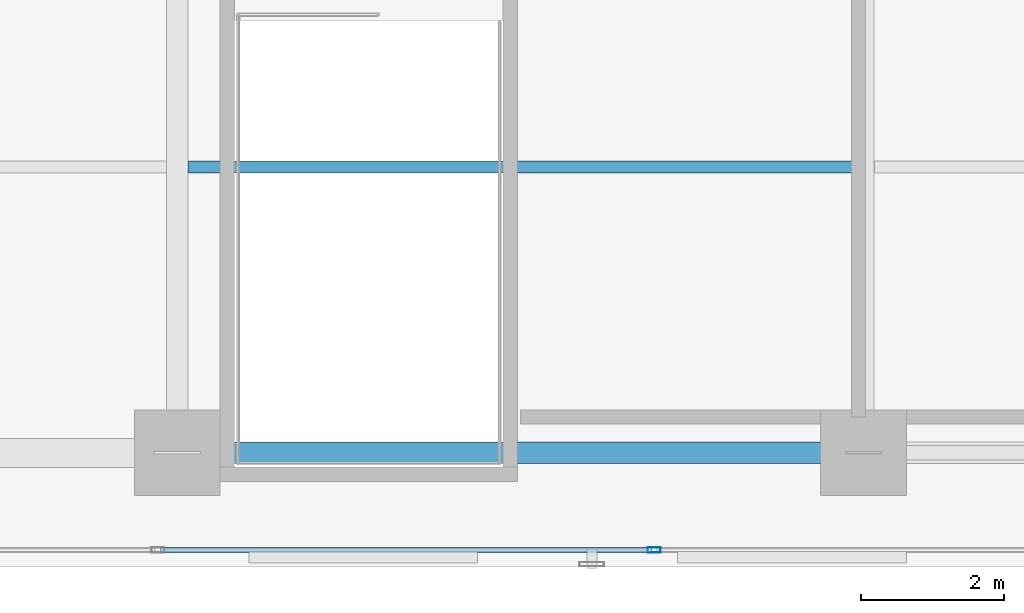
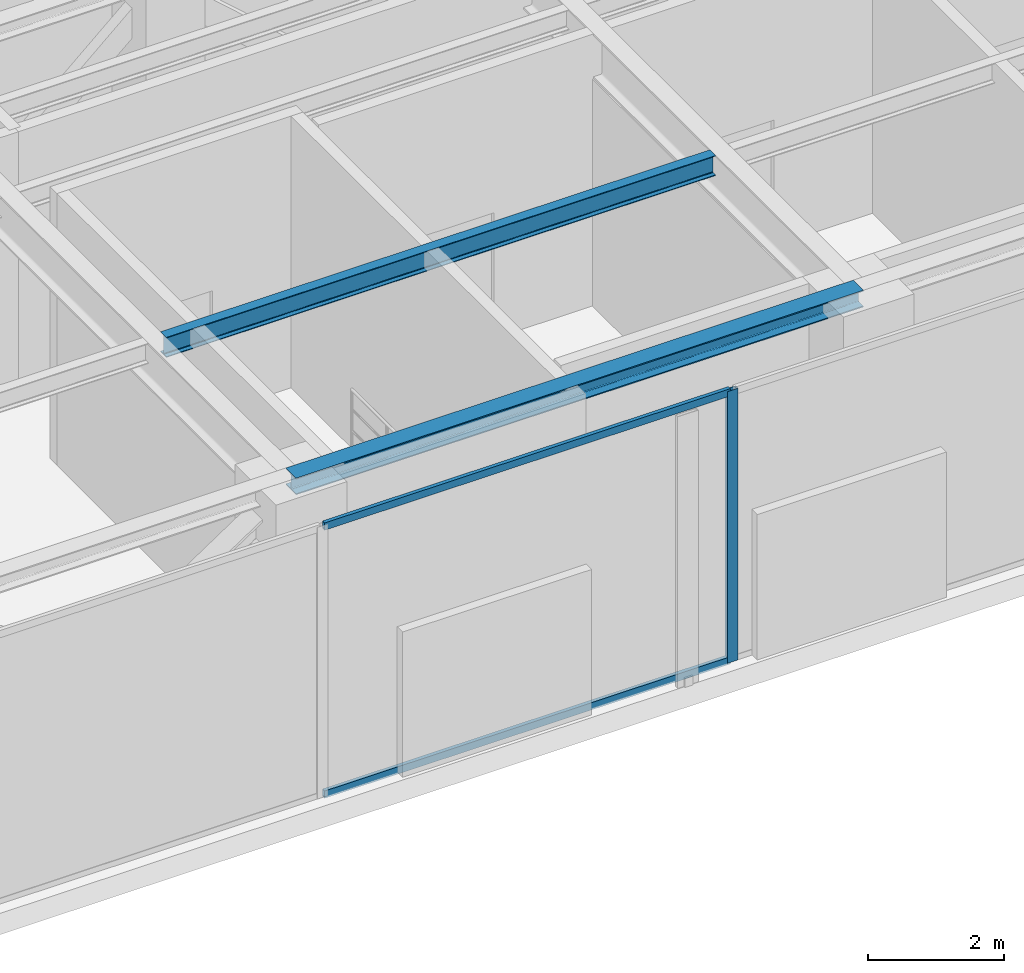
# One storey, part 7 of 36: 3 members, 2 beams, 1 element without a shape of its own.
"""IFC4 building model written with IfcOpenShell, lengths in metres."""

import ifcopenshell
import ifcopenshell.guid

model = None  # the IFC model being written
_history = None  # IfcOwnerHistory: only IFC2X3 demands one
_inside = {}  # id of a spatial element -> (the spatial element, [elements in it])
_under = {}  # id of a project, library or spatial element -> (it, [spatial elements below it])
_declared = {}  # id of a project -> (the project, [libraries it declares])
_typed = {}  # id of a type object -> (the type object, [elements of that type])
_made_of = {}  # id of a material, layer set ... -> (it, [elements and type objects made of it])


def new_model(schema):
    """Start an empty IFC model of exactly this schema.

    Asked for "IFC4X3", IfcOpenShell would pick the latest addendum, in which some entities
    have other attributes; the version numbers below select the first issue.
    IFC2X3 requires an IfcOwnerHistory on every rooted entity: one is made here for all.
    """
    global model, _history
    if schema == "IFC4X3":
        model = ifcopenshell.file(schema_version=(4, 3, 0, 0))
    else:
        model = ifcopenshell.file(schema=schema)
    _inside.clear()
    _under.clear()
    _declared.clear()
    _typed.clear()
    _made_of.clear()
    _history = None
    if model.schema == "IFC2X3":
        org = make("IfcOrganization", Name="unknown")
        user = make(
            "IfcPersonAndOrganization",
            ThePerson=make("IfcPerson", FamilyName="unknown"),
            TheOrganization=org,
        )
        app = make(
            "IfcApplication",
            ApplicationDeveloper=org,
            Version="unknown",
            ApplicationFullName="unknown",
            ApplicationIdentifier="unknown",
        )
        _history = make(
            "IfcOwnerHistory",
            OwningUser=user,
            OwningApplication=app,
            ChangeAction="ADDED",
            CreationDate=0,
        )
    return model


def make(cls, **values):
    """One entity of the class cls with the attributes given. An attribute that is None is left unset."""
    return model.create_entity(
        cls, **{name: value for name, value in values.items() if value is not None}
    )


def rooted(cls, **values):
    """An entity with a GlobalId (a new one), such as an element, a storey or a relation."""
    return make(cls, GlobalId=ifcopenshell.guid.new(), OwnerHistory=_history, **values)


def si_unit(unit_type, name, prefix=None):
    """IfcSIUnit, for example si_unit("LENGTHUNIT", "METRE", prefix="MILLI")."""
    return make("IfcSIUnit", UnitType=unit_type, Prefix=prefix, Name=name)


def assignment(units):
    """IfcUnitAssignment: the units of a project."""
    return None if units is None else make("IfcUnitAssignment", Units=units)


def point(xyz):
    """IfcCartesianPoint."""
    return None if xyz is None else make("IfcCartesianPoint", Coordinates=xyz)


def direction(xyz):
    """IfcDirection."""
    return None if xyz is None else make("IfcDirection", DirectionRatios=xyz)


def frame(location, z_axis=None, x_axis=None):
    """IfcAxis2Placement3D, a coordinate frame: its origin and axes. An axis left out is left unset."""
    return make(
        "IfcAxis2Placement3D",
        Location=point(location),
        Axis=direction(z_axis),
        RefDirection=direction(x_axis),
    )


def frame_2d(location, x_axis=None):
    """IfcAxis2Placement2D, a coordinate frame in the plane: its origin and x axis."""
    return make(
        "IfcAxis2Placement2D", Location=point(location), RefDirection=direction(x_axis)
    )


def origin():
    """The frame at (0, 0, 0) with its axes left unset."""
    return frame((0.0, 0.0, 0.0))


def origin_with_axes():
    """The frame at (0, 0, 0) with the z axis (0, 0, 1) and the x axis (1, 0, 0) written out."""
    return frame((0.0, 0.0, 0.0), z_axis=(0.0, 0.0, 1.0), x_axis=(1.0, 0.0, 0.0))


def origin_2d():
    """The frame at (0, 0) in the plane with its x axis left unset."""
    return frame_2d((0.0, 0.0))


def place(relative_to, where):
    """IfcLocalPlacement: puts the frame where relative to a parent placement (None: the world)."""
    return make(
        "IfcLocalPlacement", PlacementRelTo=relative_to, RelativePlacement=where
    )


def context(
    kind, dimensions, precision=None, world=None, true_north=None, identifier=None
):
    """IfcGeometricRepresentationContext, for example the 3D "Model" context."""
    return make(
        "IfcGeometricRepresentationContext",
        ContextIdentifier=identifier,
        ContextType=kind,
        CoordinateSpaceDimension=dimensions,
        Precision=precision,
        WorldCoordinateSystem=world,
        TrueNorth=true_north,
    )


def subcontext(parent, identifier, kind, view, scale=None):
    """IfcGeometricRepresentationSubContext, for example "Body" below "Model"."""
    return make(
        "IfcGeometricRepresentationSubContext",
        ContextIdentifier=identifier,
        ContextType=kind,
        ParentContext=parent,
        TargetScale=scale,
        TargetView=view,
    )


def project(units=None, contexts=None):
    """IfcProject with its units and contexts."""
    return rooted(
        "IfcProject",
        Name="project",
        RepresentationContexts=contexts,
        UnitsInContext=assignment(units),
    )


def spatial(cls, under=None, at=None, **own):
    """A site, building, storey or space (cls), placed at a placement, below another one or the project."""
    s = rooted(cls, ObjectPlacement=at, **own)
    if under is not None:
        _under.setdefault(under.id(), (under, []))[1].append(s)
    return s


def profile(cls, at=None, kind="AREA", **sizes):
    """A parametric profile (cls). Its sizes go by their IFC names, for example OverallWidth=200.0."""
    return make(cls, ProfileType=kind, Position=at, **sizes)


def hollow_rectangle(**sizes):
    """IfcRectangleHollowProfileDef."""
    return profile("IfcRectangleHollowProfileDef", **sizes)


def i_section(**sizes):
    """IfcIShapeProfileDef."""
    return profile("IfcIShapeProfileDef", **sizes)


def extrude(swept, where, along, depth):
    """IfcExtrudedAreaSolid: the profile swept, set in the frame where, extruded along a direction by depth."""
    return make(
        "IfcExtrudedAreaSolid",
        SweptArea=swept,
        Position=where,
        ExtrudedDirection=direction(along),
        Depth=depth,
    )


def shape(context_of_items, identifier, shape_type, items):
    """IfcShapeRepresentation: the items that make up one representation, for example the "Body"."""
    return make(
        "IfcShapeRepresentation",
        ContextOfItems=context_of_items,
        RepresentationIdentifier=identifier,
        RepresentationType=shape_type,
        Items=items,
    )


def source(mapping_origin, context_of_items, identifier, shape_type, items):
    """IfcRepresentationMap: a shape defined once, which mapped items show again and again."""
    return make(
        "IfcRepresentationMap",
        MappingOrigin=mapping_origin,
        MappedRepresentation=shape(context_of_items, identifier, shape_type, items),
    )


def transform(
    local_origin,
    x_axis=None,
    y_axis=None,
    z_axis=None,
    scale=None,
    scale2=None,
    scale3=None,
    uniform=True,
):
    """IfcCartesianTransformationOperator3D, or its non-uniform kind. x_axis, y_axis, z_axis: its Axis1, 2, 3."""
    if uniform:
        return make(
            "IfcCartesianTransformationOperator3D",
            Axis1=direction(x_axis),
            Axis2=direction(y_axis),
            LocalOrigin=point(local_origin),
            Scale=scale,
            Axis3=direction(z_axis),
        )
    return make(
        "IfcCartesianTransformationOperator3DnonUniform",
        Axis1=direction(x_axis),
        Axis2=direction(y_axis),
        LocalOrigin=point(local_origin),
        Scale=scale,
        Axis3=direction(z_axis),
        Scale2=scale2,
        Scale3=scale3,
    )


def mapped(mapping_source, mapping_target):
    """IfcMappedItem: shows the shape of a source again, moved by a transform."""
    return make(
        "IfcMappedItem", MappingSource=mapping_source, MappingTarget=mapping_target
    )


def material(Name=None, Category=None):
    """IfcMaterial."""
    return make("IfcMaterial", Name=Name, Category=Category)


def layer(
    of_material, thickness, ventilated=None, Name=None, Category=None, Priority=None
):
    """IfcMaterialLayer: one layer of a wall or slab, of a material (None: an air gap)."""
    return make(
        "IfcMaterialLayer",
        Material=of_material,
        LayerThickness=thickness,
        IsVentilated=ventilated,
        Name=Name,
        Category=Category,
        Priority=Priority,
    )


def layer_set(layers, Name=None):
    """IfcMaterialLayerSet."""
    return make("IfcMaterialLayerSet", MaterialLayers=layers, LayerSetName=Name)


def material_profile(
    of_material, cross_section, Name=None, Category=None, Priority=None
):
    """IfcMaterialProfile: a cross section and its material."""
    return make(
        "IfcMaterialProfile",
        Name=Name,
        Material=of_material,
        Profile=cross_section,
        Priority=Priority,
        Category=Category,
    )


def profile_set(profiles, Name=None, composite=None):
    """IfcMaterialProfileSet."""
    return make(
        "IfcMaterialProfileSet",
        Name=Name,
        MaterialProfiles=profiles,
        CompositeProfile=composite,
    )


def made_of(thing, what):
    """Note that an element or type object is made of a material, layer set ...; save() writes the relation."""
    if what is not None:
        _made_of.setdefault(what.id(), (what, []))[1].append(thing)
    return thing


def type_object(cls, material=None, **own):
    """A type object (cls), such as IfcWallType, which elements share."""
    return made_of(rooted(cls, **own), material)


def element(
    cls,
    number,
    at=None,
    inside=None,
    cuts=None,
    type_object=None,
    material=None,
    context=None,
    identifier="Body",
    shape_type=None,
    held_by="IfcProductDefinitionShape",
    body=None,
    shapes=None,
    **own,
):
    """One element of the class cls, such as IfcWall. Its Tag is "e" and its number.

    at: its placement. inside: the storey or other place that contains it. cuts: it is an
    opening in that element (IfcRelVoidsElement). A single representation is given by context,
    identifier, shape_type and body (its items); several are given by shapes. held_by: the class
    of the entity that holds the representations. save() writes the other relations.
    """
    e = rooted(cls, Tag="e%d" % number, ObjectPlacement=at, **own)
    if body is not None:
        shapes = [shape(context, identifier, shape_type, body)]
    if shapes is not None:
        e.Representation = make(held_by, Representations=shapes)
    if inside is not None:
        _inside.setdefault(inside.id(), (inside, []))[1].append(e)
    if cuts is not None:
        rooted(
            "IfcRelVoidsElement", RelatingBuildingElement=cuts, RelatedOpeningElement=e
        )
    if type_object is not None:
        _typed.setdefault(type_object.id(), (type_object, []))[1].append(e)
    return made_of(e, material)


def aggregate(whole, parts):
    """IfcRelAggregates: a whole, such as a stair, and the parts it consists of."""
    return rooted("IfcRelAggregates", RelatingObject=whole, RelatedObjects=parts)


def save(model, path):
    """Write the relations noted so far, then the file.

    IfcRelAggregates (storeys below a building ...), IfcRelContainedInSpatialStructure (elements
    in a storey), IfcRelDefinesByType, IfcRelAssociatesMaterial and IfcRelDeclares: one each for
    every whole, place, type object, material and project.
    """
    for whole, parts in _under.values():
        aggregate(whole, parts)
    for where, things in _inside.values():
        rooted(
            "IfcRelContainedInSpatialStructure",
            RelatedElements=things,
            RelatingStructure=where,
        )
    for kind, things in _typed.values():
        rooted("IfcRelDefinesByType", RelatedObjects=things, RelatingType=kind)
    for what, things in _made_of.values():
        rooted("IfcRelAssociatesMaterial", RelatedObjects=things, RelatingMaterial=what)
    for by, libraries in _declared.values():
        rooted("IfcRelDeclares", RelatingContext=by, RelatedDefinitions=libraries)
    model.write(path)


model = new_model("IFC4")

# Units and contexts
model_context = context("Model", 3, precision=1e-05, world=origin(), true_north=direction((0.0, 1.0)))
body_context = subcontext(model_context, "Body", "Model", "MODEL_VIEW")
ifc_project = project(units=[si_unit("LENGTHUNIT", "METRE"), si_unit("AREAUNIT", "SQUARE_METRE"), si_unit("VOLUMEUNIT", "CUBIC_METRE"), si_unit("PLANEANGLEUNIT", "RADIAN"), si_unit("MASSUNIT", "GRAM", prefix="KILO")], contexts=[model_context])

# Site, building, storey
site_placement = place(None, origin())
site = spatial("IfcSite", under=ifc_project, at=site_placement, CompositionType="ELEMENT")
building_placement = place(site_placement, origin())
building = spatial("IfcBuilding", under=site, at=building_placement, Name="Kolvaren Waterfront Exchange", CompositionType="ELEMENT")
storey_placement = place(building_placement, frame((0.0, 0.0, 199.39990234375)))
storey = spatial("IfcBuildingStorey", under=building, at=storey_placement, Name="L51", CompositionType="ELEMENT", Elevation=199.39990234375)

# Beams
ifc_material_1 = material(Name="Steel S355", Category="steel")
ifc_material_profile_1 = material_profile(ifc_material_1, i_section(OverallWidth=0.300048828125, OverallDepth=0.300048828125, WebThickness=0.010986328125, FlangeThickness=0.01904296875, FilletRadius=0.027099609375, at=origin_2d()), Name="HEB300")
ifc_profile_set_1 = profile_set([ifc_material_profile_1], Name="Steel S355")
beam_type_1 = type_object("IfcBeamType", Name="STR-BM-HEB300", PredefinedType="SPANDREL", material=ifc_profile_set_1)
beam_1_placement = place(storey_placement, frame((27.199951171875, 5.199951171875, 4.710205078125), z_axis=(1.0, 0.0, 0.0), x_axis=(0.0, 1.0, 0.0)))
element("IfcBeam", 1, at=beam_1_placement, inside=storey, type_object=beam_type_1, Name="L51 east-arm spandrel S2", PredefinedType="SPANDREL", context=body_context, shape_type="SweptSolid", body=[
    extrude(i_section(OverallWidth=0.300048828125, OverallDepth=0.300048828125, WebThickness=0.010986328125, FlangeThickness=0.01904296875, FilletRadius=0.027099609375, at=origin_2d()), origin(), (0.0, 0.0, 1.0), 9.60009765625),
])
ifc_material_profile_2 = material_profile(ifc_material_1, i_section(OverallWidth=0.169921875, OverallDepth=0.360107421875, WebThickness=0.008056640625, FlangeThickness=0.0126953125, FilletRadius=0.01806640625, at=origin_2d()), Name="IPE360")
ifc_profile_set_2 = profile_set([ifc_material_profile_2], Name="Steel S355")
beam_type_2 = type_object("IfcBeamType", Name="STR-BM-IPE360", PredefinedType="JOIST", material=ifc_profile_set_2)
beam_2_placement = place(storey_placement, frame((27.35205078125, 9.199951171875, 4.68017578125), z_axis=(1.0, 0.0, 0.0), x_axis=(0.0, 1.0, 0.0)))
element("IfcBeam", 2, at=beam_2_placement, inside=storey, type_object=beam_type_2, Name="L51 east-arm composite joist 2B", PredefinedType="JOIST", context=body_context, shape_type="SweptSolid", body=[
    extrude(i_section(OverallWidth=0.169921875, OverallDepth=0.360107421875, WebThickness=0.008056640625, FlangeThickness=0.0126953125, FilletRadius=0.01806640625, at=origin_2d()), origin(), (0.0, 0.0, 1.0), 9.2958984375),
])

# Curtain wall, members
ifc_material_2 = material(Name="Anodised dark bronze spandrel aluminium", Category="aluminium")
ifc_layer = layer(ifc_material_2, 0.219970703125, Name="Anodised dark bronze spandrel aluminium")
ifc_layer_set = layer_set([ifc_layer], Name="Anodised dark bronze spandrel aluminium")
curtain_wall_type = type_object("IfcCurtainWallType", Name="ARC-CW-SYS6", PredefinedType="USERDEFINED", material=ifc_layer_set)
curtain_wall_placement = place(storey_placement, origin())
curtain_wall = element("IfcCurtainWall", 3, at=curtain_wall_placement, inside=storey, type_object=curtain_wall_type, Name="L51 stick curtain wall CW6 (CW-L51-S)", ObjectType="STICK CURTAIN WALL", PredefinedType="USERDEFINED")
ifc_material_3 = material(Name="Anodised bronze aluminium 6063-T6", Category="aluminium")
ifc_material_profile_3 = material_profile(ifc_material_3, hollow_rectangle(XDim=0.074951171875, YDim=0.179931640625, WallThickness=0.00439453125, at=origin_2d()), Name="ALU-MUL-180x75x4.5")
ifc_profile_set_3 = profile_set([ifc_material_profile_3], Name="Anodised bronze aluminium 6063-T6")
member_type_1 = type_object("IfcMemberType", Name="ARC-CWM-180", PredefinedType="MULLION", material=ifc_profile_set_3)
shared_shape_1 = source(origin_with_axes(), body_context, "Body", "SweptSolid", [
    extrude(hollow_rectangle(XDim=0.074951171875, YDim=0.179931640625, WallThickness=0.00439453125, at=origin_2d()), origin(), (0.0, 0.0, 1.0), 4.860107421875),
])
member_1_placement = place(storey_placement, frame((33.871337890625, 3.840087890625, 0.0), z_axis=(0.0, 0.0, 1.0), x_axis=(0.0, 1.0, 0.0)))
member_1 = element("IfcMember", 4, at=member_1_placement, type_object=member_type_1, Name="CW6 mullion 5", PredefinedType="MULLION", context=body_context, shape_type="MappedRepresentation", body=[
    mapped(shared_shape_1, transform((0.0, 0.0, 0.0), x_axis=(1.0, 0.0, 0.0), y_axis=(0.0, 1.0, 0.0), z_axis=(0.0, 0.0, 1.0), scale=1.0)),
])
ifc_material_profile_4 = material_profile(ifc_material_3, hollow_rectangle(XDim=0.06494140625, YDim=0.1298828125, WallThickness=0.00390625, at=origin_2d()), Name="ALU-TRN-130x65x4")
ifc_profile_set_4 = profile_set([ifc_material_profile_4], Name="Anodised bronze aluminium 6063-T6")
member_type_2 = type_object("IfcMemberType", Name="ARC-CWT-130", PredefinedType="USERDEFINED", material=ifc_profile_set_4)
shared_shape_2 = source(origin_with_axes(), body_context, "Body", "SweptSolid", [
    extrude(hollow_rectangle(XDim=0.06494140625, YDim=0.1298828125, WallThickness=0.00390625, at=origin_2d()), origin(), (0.0, 0.0, 1.0), 6.867919921875),
])
member_2_placement = place(storey_placement, frame((26.966064453125, 3.840087890625, 0.03271484375), z_axis=(1.0, 0.0, 0.0), x_axis=(0.0, 1.0, 0.0)))
member_2 = element("IfcMember", 5, at=member_2_placement, type_object=member_type_2, Name="CW6 transom 4.1", ObjectType="TRANSOM", PredefinedType="USERDEFINED", context=body_context, shape_type="MappedRepresentation", body=[
    mapped(shared_shape_2, transform((0.0, 0.0, 0.0), x_axis=(1.0, 0.0, 0.0), y_axis=(0.0, 1.0, 0.0), z_axis=(0.0, 0.0, 1.0), scale=1.0)),
])
member_3_placement = place(storey_placement, frame((26.966064453125, 3.840087890625, 4.82763671875), z_axis=(1.0, 0.0, 0.0), x_axis=(0.0, 1.0, 0.0)))
member_3 = element("IfcMember", 6, at=member_3_placement, type_object=member_type_2, Name="CW6 transom 4.2", ObjectType="TRANSOM", PredefinedType="USERDEFINED", context=body_context, shape_type="MappedRepresentation", body=[
    mapped(shared_shape_2, transform((0.0, 0.0, 0.0), x_axis=(1.0, 0.0, 0.0), y_axis=(0.0, 1.0, 0.0), z_axis=(0.0, 0.0, 1.0), scale=1.0)),
])
aggregate(curtain_wall, [member_1, member_2, member_3])

save(model, "model.ifc")
